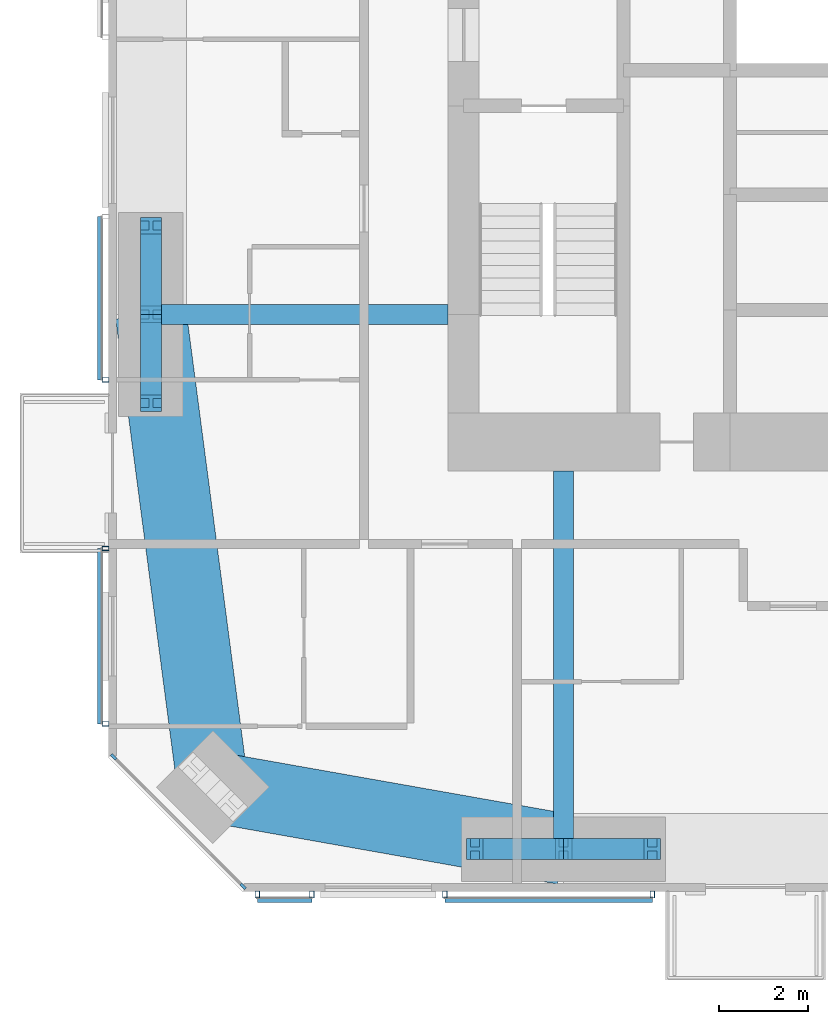
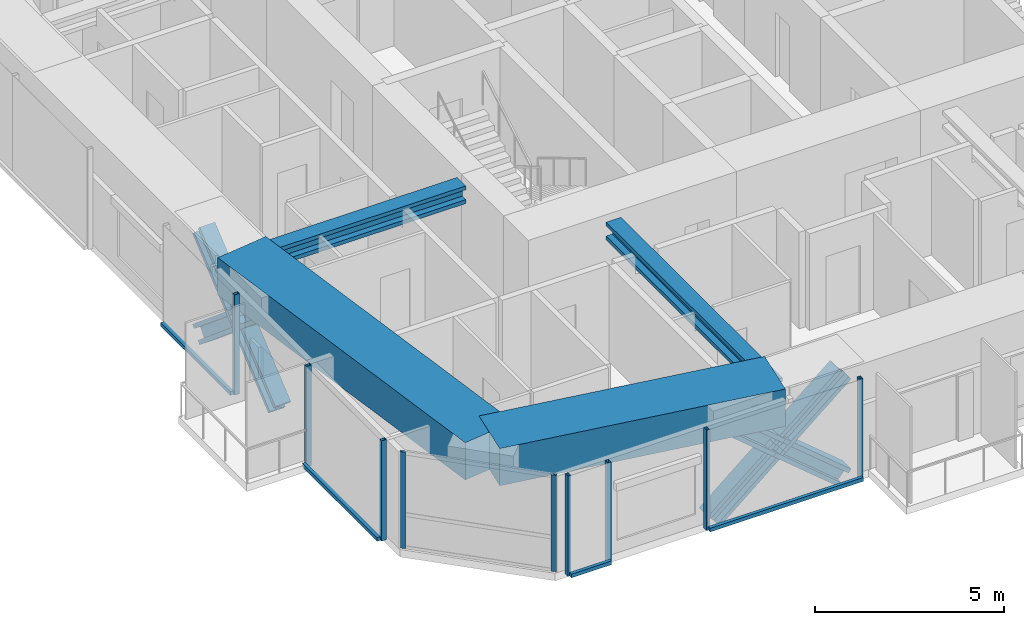
# One storey, part 2 of 23: 21 members, 4 beams, 5 elements without a shape of their own.
"""IFC4 building model written with IfcOpenShell, lengths in metres."""

from ifc_helpers import new_model, si_unit, direction, frame, origin, origin_2d, place, context, subcontext, project, spatial, rectangle, hollow_rectangle, i_section, extrude, material, material_profile, profile_set, type_object, element, aggregate, save


model = new_model("IFC4")

# Units and contexts
model_context = context("Model", 3, precision=1e-05, world=origin(), true_north=direction((0.0, 1.0)))
body_context = subcontext(model_context, "Body", "Model", "MODEL_VIEW")
ifc_project = project(units=[si_unit("LENGTHUNIT", "METRE"), si_unit("AREAUNIT", "SQUARE_METRE"), si_unit("VOLUMEUNIT", "CUBIC_METRE"), si_unit("PLANEANGLEUNIT", "RADIAN"), si_unit("MASSUNIT", "GRAM", prefix="KILO")], contexts=[model_context])

# Site, building, storey
site_placement = place(None, origin())
site = spatial("IfcSite", under=ifc_project, at=site_placement, CompositionType="ELEMENT")
building_placement = place(site_placement, origin())
building = spatial("IfcBuilding", under=site, at=building_placement, Name="Jalousie Tower", CompositionType="ELEMENT")
storey_placement = place(building_placement, frame((0.0, 0.0, 164.39990234375)))
storey = spatial("IfcBuildingStorey", under=building, at=storey_placement, Name="L44", CompositionType="ELEMENT", Elevation=164.39990234375)

# Curtain wall, members
ifc_material_1 = material(Name="Aluminium curtain wall", Category="aluminium")
curtain_wall_type_1 = type_object("IfcCurtainWallType", Name="CORNER WINDOW WALL", PredefinedType="USERDEFINED", material=ifc_material_1)
curtain_wall_1_placement = place(storey_placement, origin())
curtain_wall_1 = element("IfcCurtainWall", 1, at=curtain_wall_1_placement, inside=storey, type_object=curtain_wall_type_1, Name="Corner Window Wall L44 8", ObjectType="CORNER WINDOW WALL", PredefinedType="USERDEFINED")
ifc_material_2 = material(Name="Aluminium mullion", Category="aluminium")
ifc_material_profile_1 = material_profile(ifc_material_2, rectangle(XDim=0.06005859375, YDim=0.14990234375, at=origin_2d()), Name="MULLION 60x150")
ifc_profile_set_1 = profile_set([ifc_material_profile_1], Name="Aluminium mullion")
member_type_1 = type_object("IfcMemberType", Name="CORNER WINDOW WALL MULLION", PredefinedType="MULLION", material=ifc_profile_set_1)
member_1_placement = place(storey_placement, frame((12.108642578125, 3.030029296875, 0.0), z_axis=(0.0, 0.0, 1.0), x_axis=(0.707106781187, 0.707106781187, 0.0)))
member_1 = element("IfcMember", 2, at=member_1_placement, type_object=member_type_1, Name="CW-C mullion 1", PredefinedType="MULLION", context=body_context, shape_type="SweptSolid", body=[
    extrude(rectangle(XDim=0.06005859375, YDim=0.14990234375, at=origin_2d()), origin(), (0.0, 0.0, 1.0), 3.110107421875),
])
member_2_placement = place(storey_placement, frame((15.030029296875, 0.108642578125, 0.0), z_axis=(0.0, 0.0, 1.0), x_axis=(0.707106781187, 0.707106781187, 0.0)))
member_2 = element("IfcMember", 3, at=member_2_placement, type_object=member_type_1, Name="CW-C mullion 2", PredefinedType="MULLION", context=body_context, shape_type="SweptSolid", body=[
    extrude(rectangle(XDim=0.06005859375, YDim=0.14990234375, at=origin_2d()), origin(), (0.0, 0.0, 1.0), 3.110107421875),
])
aggregate(curtain_wall_1, [member_1, member_2])

# Beams
ifc_material_3 = material(Name="Steel ASTM A992 Grade 50", Category="steel")
ifc_material_profile_2 = material_profile(ifc_material_3, i_section(OverallWidth=0.45458984375, OverallDepth=0.569091796875, WebThickness=0.077880859375, FlangeThickness=0.124755859375, at=origin_2d()), Name="W14X730")
ifc_profile_set_2 = profile_set([ifc_material_profile_2], Name="Steel ASTM A992 Grade 50")
beam_type_1 = type_object("IfcBeamType", Name="LEAN COLLECTOR W14X730", PredefinedType="BEAM", material=ifc_profile_set_2)
beam_1_placement = place(storey_placement, frame((12.949951171875, 13.0, 2.82568359375), z_axis=(1.0, 0.0, 0.0), x_axis=(0.0, 1.0, 0.0)))
element("IfcBeam", 4, at=beam_1_placement, inside=storey, type_object=beam_type_1, Name="Lean collector under L45", PredefinedType="BEAM", context=body_context, shape_type="SweptSolid", body=[
    extrude(i_section(OverallWidth=0.45458984375, OverallDepth=0.569091796875, WebThickness=0.077880859375, FlangeThickness=0.124755859375, at=origin_2d()), origin(), (0.0, 0.0, 1.0), 6.699951171875),
])
beam_2_placement = place(storey_placement, frame((22.25, 0.949951171875, 2.82568359375), z_axis=(0.0, 1.0, 0.0), x_axis=(-1.0, 0.0, 0.0)))
element("IfcBeam", 5, at=beam_2_placement, inside=storey, type_object=beam_type_1, Name="Lean collector under L45", PredefinedType="BEAM", context=body_context, shape_type="SweptSolid", body=[
    extrude(i_section(OverallWidth=0.45458984375, OverallDepth=0.569091796875, WebThickness=0.077880859375, FlangeThickness=0.124755859375, at=origin_2d()), origin(), (0.0, 0.0, 1.0), 8.525146484375),
])

# Members
ifc_material_4 = material(Name="Steel ASTM A992 Grade 50", Category="steel")
ifc_material_profile_3 = material_profile(ifc_material_4, i_section(OverallWidth=0.472412109375, OverallDepth=0.5791015625, WebThickness=0.094970703125, FlangeThickness=0.1298828125, at=origin_2d()), Name="W14X808")
ifc_profile_set_3 = profile_set([ifc_material_profile_3], Name="Steel ASTM A992 Grade 50")
member_type_2 = type_object("IfcMemberType", Name="PERIMETER BRACE W14X808", PredefinedType="BRACE", material=ifc_profile_set_3)
member_3_placement = place(storey_placement, frame((20.25, 0.949951171875, -0.599853515625), z_axis=(0.766638753323, 0.0, 0.642078672674), x_axis=(0.0, 1.0, 0.0)))
element("IfcMember", 6, at=member_3_placement, inside=storey, type_object=member_type_2, Name="Perimeter brace 02 L44 part 1", PredefinedType="BRACE", context=body_context, shape_type="SweptSolid", body=[
    extrude(i_section(OverallWidth=0.472412109375, OverallDepth=0.5791015625, WebThickness=0.094970703125, FlangeThickness=0.1298828125, at=origin_2d()), origin(), (0.0, 0.0, 1.0), 2.60888671875),
])
member_4_placement = place(storey_placement, frame((22.25, 0.949951171875, 1.0751953125), z_axis=(0.766684820047, 0.0, 0.642023665225), x_axis=(0.0, 1.0, 0.0)))
element("IfcMember", 7, at=member_4_placement, inside=storey, type_object=member_type_2, Name="Perimeter brace 02 L44 part 2", PredefinedType="BRACE", context=body_context, shape_type="SweptSolid", body=[
    extrude(i_section(OverallWidth=0.472412109375, OverallDepth=0.5791015625, WebThickness=0.094970703125, FlangeThickness=0.1298828125, at=origin_2d()), origin(), (0.0, 0.0, 1.0), 2.608642578125),
])
member_5_placement = place(storey_placement, frame((24.25, 0.949951171875, -0.599853515625), z_axis=(-0.766638753323, 0.0, 0.642078672674), x_axis=(0.0, -1.0, 0.0)))
element("IfcMember", 8, at=member_5_placement, inside=storey, type_object=member_type_2, Name="Perimeter brace 02 L44 part 3", PredefinedType="BRACE", context=body_context, shape_type="SweptSolid", body=[
    extrude(i_section(OverallWidth=0.472412109375, OverallDepth=0.5791015625, WebThickness=0.094970703125, FlangeThickness=0.1298828125, at=origin_2d()), origin(), (0.0, 0.0, 1.0), 2.60888671875),
])
member_6_placement = place(storey_placement, frame((22.25, 0.949951171875, 1.0751953125), z_axis=(-0.766684820047, 0.0, 0.642023665225), x_axis=(0.0, -1.0, 0.0)))
element("IfcMember", 9, at=member_6_placement, inside=storey, type_object=member_type_2, Name="Perimeter brace 02 L44 part 4", PredefinedType="BRACE", context=body_context, shape_type="SweptSolid", body=[
    extrude(i_section(OverallWidth=0.472412109375, OverallDepth=0.5791015625, WebThickness=0.094970703125, FlangeThickness=0.1298828125, at=origin_2d()), origin(), (0.0, 0.0, 1.0), 2.608642578125),
])
member_7_placement = place(storey_placement, frame((12.949951171875, 11.0, -0.599853515625), z_axis=(0.0, 0.766638753323, 0.642078672674), x_axis=(-1.0, 0.0, 0.0)))
element("IfcMember", 10, at=member_7_placement, inside=storey, type_object=member_type_2, Name="Perimeter brace 14 L44 part 1", PredefinedType="BRACE", context=body_context, shape_type="SweptSolid", body=[
    extrude(i_section(OverallWidth=0.472412109375, OverallDepth=0.5791015625, WebThickness=0.094970703125, FlangeThickness=0.1298828125, at=origin_2d()), origin(), (0.0, 0.0, 1.0), 2.60888671875),
])
member_8_placement = place(storey_placement, frame((12.949951171875, 13.0, 1.0751953125), z_axis=(0.0, 0.766684820047, 0.642023665225), x_axis=(-1.0, 0.0, 0.0)))
element("IfcMember", 11, at=member_8_placement, inside=storey, type_object=member_type_2, Name="Perimeter brace 14 L44 part 2", PredefinedType="BRACE", context=body_context, shape_type="SweptSolid", body=[
    extrude(i_section(OverallWidth=0.472412109375, OverallDepth=0.5791015625, WebThickness=0.094970703125, FlangeThickness=0.1298828125, at=origin_2d()), origin(), (0.0, 0.0, 1.0), 2.608642578125),
])
member_9_placement = place(storey_placement, frame((12.949951171875, 15.0, -0.599853515625), z_axis=(0.0, -0.766638753323, 0.642078672674), x_axis=(1.0, 0.0, 0.0)))
element("IfcMember", 12, at=member_9_placement, inside=storey, type_object=member_type_2, Name="Perimeter brace 14 L44 part 3", PredefinedType="BRACE", context=body_context, shape_type="SweptSolid", body=[
    extrude(i_section(OverallWidth=0.472412109375, OverallDepth=0.5791015625, WebThickness=0.094970703125, FlangeThickness=0.1298828125, at=origin_2d()), origin(), (0.0, 0.0, 1.0), 2.60888671875),
])
member_10_placement = place(storey_placement, frame((12.949951171875, 13.0, 1.0751953125), z_axis=(0.0, -0.766684820047, 0.642023665225), x_axis=(1.0, 0.0, 0.0)))
element("IfcMember", 13, at=member_10_placement, inside=storey, type_object=member_type_2, Name="Perimeter brace 14 L44 part 4", PredefinedType="BRACE", context=body_context, shape_type="SweptSolid", body=[
    extrude(i_section(OverallWidth=0.472412109375, OverallDepth=0.5791015625, WebThickness=0.094970703125, FlangeThickness=0.1298828125, at=origin_2d()), origin(), (0.0, 0.0, 1.0), 2.608642578125),
])

# Beams
ifc_material_5 = material(Name="Concrete f'c 40 MPa", Category="concrete")
ifc_material_profile_4 = material_profile(ifc_material_5, rectangle(XDim=1.60009765625, YDim=1.199951171875, at=origin_2d()), Name="RC 1600x1200")
ifc_profile_set_4 = profile_set([ifc_material_profile_4], Name="Concrete f'c 40 MPa")
beam_type_2 = type_object("IfcBeamType", Name="RC BEAM 1600x1200", PredefinedType="BEAM", material=ifc_profile_set_4)
beam_3_placement = place(storey_placement, frame((14.348388671875, 2.348388671875, 2.75), z_axis=(0.984697370688, -0.174273027632, 0.0), x_axis=(0.174273027632, 0.984697370688, 0.0)))
element("IfcBeam", 14, at=beam_3_placement, inside=storey, type_object=beam_type_2, Name="Edge band beam 01-02 under L45", PredefinedType="BEAM", context=body_context, shape_type="SweptSolid", body=[
    extrude(rectangle(XDim=1.60009765625, YDim=1.199951171875, at=origin_2d()), origin(), (0.0, 0.0, 1.0), 8.0244140625),
])
beam_4_placement = place(storey_placement, frame((12.949951171875, 13.0, 2.75), z_axis=(0.130171745558, -0.991491460709, 0.0), x_axis=(0.991491460709, 0.130171745558, 0.0)))
element("IfcBeam", 15, at=beam_4_placement, inside=storey, type_object=beam_type_2, Name="Edge band beam 14-01 under L45", PredefinedType="BEAM", context=body_context, shape_type="SweptSolid", body=[
    extrude(rectangle(XDim=1.60009765625, YDim=1.199951171875, at=origin_2d()), origin(), (0.0, 0.0, 1.0), 10.742919921875),
])

# Curtain wall, members
ifc_material_6 = material(Name="Perforated aluminium sheet", Category="aluminium")
curtain_wall_type_2 = type_object("IfcCurtainWallType", Name="SOLAR SCREEN SS-1", PredefinedType="USERDEFINED", material=ifc_material_6)
curtain_wall_2_placement = place(storey_placement, origin())
curtain_wall_2 = element("IfcCurtainWall", 16, at=curtain_wall_2_placement, inside=storey, type_object=curtain_wall_type_2, Name="Solar screen L44", ObjectType="SOLAR SCREEN SS-1", PredefinedType="USERDEFINED")
ifc_material_7 = material(Name="Steel ASTM A500 Grade C", Category="steel")
ifc_material_profile_5 = material_profile(ifc_material_7, hollow_rectangle(XDim=0.1015625, YDim=0.15234375, WallThickness=0.00634765625, at=origin_2d()), Name="HSS6X4X1/4")
ifc_profile_set_5 = profile_set([ifc_material_profile_5], Name="Steel ASTM A500 Grade C")
member_type_3 = type_object("IfcMemberType", Name="SOLAR SCREEN SS-1 MULLION", PredefinedType="MULLION", material=ifc_profile_set_5)
member_11_placement = place(storey_placement, frame((15.351318359375, -0.0712890625, -0.119873046875), z_axis=(0.0, 0.0, 1.0), x_axis=(1.0, 0.0, 0.0)))
member_11 = element("IfcMember", 17, at=member_11_placement, type_object=member_type_3, Name="SS1 post 1", PredefinedType="MULLION", context=body_context, shape_type="SweptSolid", body=[
    extrude(hollow_rectangle(XDim=0.1015625, YDim=0.15234375, WallThickness=0.00634765625, at=origin_2d()), origin(), (0.0, 0.0, 1.0), 3.22998046875),
])
member_12_placement = place(storey_placement, frame((16.57568359375, -0.0712890625, -0.119873046875), z_axis=(0.0, 0.0, 1.0), x_axis=(1.0, 0.0, 0.0)))
member_12 = element("IfcMember", 18, at=member_12_placement, type_object=member_type_3, Name="SS1 post 2", PredefinedType="MULLION", context=body_context, shape_type="SweptSolid", body=[
    extrude(hollow_rectangle(XDim=0.1015625, YDim=0.15234375, WallThickness=0.00634765625, at=origin_2d()), origin(), (0.0, 0.0, 1.0), 3.22998046875),
])

curtain_wall_3_placement = place(storey_placement, origin())
curtain_wall_3 = element("IfcCurtainWall", 19, at=curtain_wall_3_placement, inside=storey, type_object=curtain_wall_type_2, Name="Solar screen L44", ObjectType="SOLAR SCREEN SS-1", PredefinedType="USERDEFINED")
member_13_placement = place(storey_placement, frame((19.57568359375, -0.0712890625, -0.119873046875), z_axis=(0.0, 0.0, 1.0), x_axis=(1.0, 0.0, 0.0)))
member_13 = element("IfcMember", 20, at=member_13_placement, type_object=member_type_3, Name="SS1 post 1", PredefinedType="MULLION", context=body_context, shape_type="SweptSolid", body=[
    extrude(hollow_rectangle(XDim=0.1015625, YDim=0.15234375, WallThickness=0.00634765625, at=origin_2d()), origin(), (0.0, 0.0, 1.0), 3.22998046875),
])
member_14_placement = place(storey_placement, frame((24.25, -0.0712890625, -0.119873046875), z_axis=(0.0, 0.0, 1.0), x_axis=(1.0, 0.0, 0.0)))
member_14 = element("IfcMember", 21, at=member_14_placement, type_object=member_type_3, Name="SS1 post 2", PredefinedType="MULLION", context=body_context, shape_type="SweptSolid", body=[
    extrude(hollow_rectangle(XDim=0.1015625, YDim=0.15234375, WallThickness=0.00634765625, at=origin_2d()), origin(), (0.0, 0.0, 1.0), 3.22998046875),
])

# Curtain wall, member
curtain_wall_4_placement = place(storey_placement, origin())
curtain_wall_4 = element("IfcCurtainWall", 22, at=curtain_wall_4_placement, inside=storey, type_object=curtain_wall_type_2, Name="Solar screen L44", ObjectType="SOLAR SCREEN SS-1", PredefinedType="USERDEFINED")
member_15_placement = place(storey_placement, frame((11.9287109375, 11.52490234375, -0.119873046875), z_axis=(0.0, 0.0, 1.0), x_axis=(0.0, -1.0, 0.0)))
member_15 = element("IfcMember", 23, at=member_15_placement, type_object=member_type_3, Name="SS1 post 2", PredefinedType="MULLION", context=body_context, shape_type="SweptSolid", body=[
    extrude(hollow_rectangle(XDim=0.1015625, YDim=0.15234375, WallThickness=0.00634765625, at=origin_2d()), origin(), (0.0, 0.0, 1.0), 3.22998046875),
])

# Curtain wall, members
curtain_wall_5_placement = place(storey_placement, origin())
curtain_wall_5 = element("IfcCurtainWall", 24, at=curtain_wall_5_placement, inside=storey, type_object=curtain_wall_type_2, Name="Solar screen L44", ObjectType="SOLAR SCREEN SS-1", PredefinedType="USERDEFINED")
member_16_placement = place(storey_placement, frame((11.9287109375, 7.72509765625, -0.119873046875), z_axis=(0.0, 0.0, 1.0), x_axis=(0.0, -1.0, 0.0)))
member_16 = element("IfcMember", 25, at=member_16_placement, type_object=member_type_3, Name="SS1 post 1", PredefinedType="MULLION", context=body_context, shape_type="SweptSolid", body=[
    extrude(hollow_rectangle(XDim=0.1015625, YDim=0.15234375, WallThickness=0.00634765625, at=origin_2d()), origin(), (0.0, 0.0, 1.0), 3.22998046875),
])
member_17_placement = place(storey_placement, frame((11.9287109375, 3.771240234375, -0.119873046875), z_axis=(0.0, 0.0, 1.0), x_axis=(0.0, -1.0, 0.0)))
member_17 = element("IfcMember", 26, at=member_17_placement, type_object=member_type_3, Name="SS1 post 2", PredefinedType="MULLION", context=body_context, shape_type="SweptSolid", body=[
    extrude(hollow_rectangle(XDim=0.1015625, YDim=0.15234375, WallThickness=0.00634765625, at=origin_2d()), origin(), (0.0, 0.0, 1.0), 3.22998046875),
])

# Member
ifc_material_8 = material(Name="Extruded aluminium screen rail", Category="aluminium")
ifc_material_profile_6 = material_profile(ifc_material_8, rectangle(XDim=0.1015625, YDim=0.1201171875, at=origin_2d()), Name="RAIL 102x120")
ifc_profile_set_6 = profile_set([ifc_material_profile_6], Name="Extruded aluminium screen rail")
member_type_4 = type_object("IfcMemberType", Name="SOLAR SCREEN SS-1 TRANSOM", PredefinedType="USERDEFINED", material=ifc_profile_set_6)
member_18_placement = place(storey_placement, frame((15.351318359375, -0.1982421875, -0.059814453125), z_axis=(1.0, 0.0, 0.0), x_axis=(0.0, 1.0, 0.0)))
member_18 = element("IfcMember", 27, at=member_18_placement, type_object=member_type_4, Name="SS1 rail", ObjectType="TRANSOM", PredefinedType="USERDEFINED", context=body_context, shape_type="SweptSolid", body=[
    extrude(rectangle(XDim=0.1015625, YDim=0.1201171875, at=origin_2d()), origin(), (0.0, 0.0, 1.0), 1.224365234375),
])

aggregate(curtain_wall_2, [member_11, member_12, member_18])

member_19_placement = place(storey_placement, frame((19.57568359375, -0.1982421875, -0.059814453125), z_axis=(1.0, 0.0, 0.0), x_axis=(0.0, 1.0, 0.0)))
member_19 = element("IfcMember", 28, at=member_19_placement, type_object=member_type_4, Name="SS1 rail", ObjectType="TRANSOM", PredefinedType="USERDEFINED", context=body_context, shape_type="SweptSolid", body=[
    extrude(rectangle(XDim=0.1015625, YDim=0.1201171875, at=origin_2d()), origin(), (0.0, 0.0, 1.0), 4.67431640625),
])

aggregate(curtain_wall_3, [member_13, member_14, member_19])

member_20_placement = place(storey_placement, frame((11.8017578125, 15.205078125, -0.059814453125), z_axis=(0.0, -1.0, 0.0), x_axis=(1.0, 0.0, 0.0)))
member_20 = element("IfcMember", 29, at=member_20_placement, type_object=member_type_4, Name="SS1 rail", ObjectType="TRANSOM", PredefinedType="USERDEFINED", context=body_context, shape_type="SweptSolid", body=[
    extrude(rectangle(XDim=0.1015625, YDim=0.1201171875, at=origin_2d()), origin(), (0.0, 0.0, 1.0), 3.68017578125),
])

aggregate(curtain_wall_4, [member_15, member_20])

member_21_placement = place(storey_placement, frame((11.8017578125, 7.72509765625, -0.059814453125), z_axis=(0.0, -1.0, 0.0), x_axis=(1.0, 0.0, 0.0)))
member_21 = element("IfcMember", 30, at=member_21_placement, type_object=member_type_4, Name="SS1 rail", ObjectType="TRANSOM", PredefinedType="USERDEFINED", context=body_context, shape_type="SweptSolid", body=[
    extrude(rectangle(XDim=0.1015625, YDim=0.1201171875, at=origin_2d()), origin(), (0.0, 0.0, 1.0), 3.953857421875),
])

aggregate(curtain_wall_5, [member_16, member_17, member_21])

save(model, "model.ifc")
